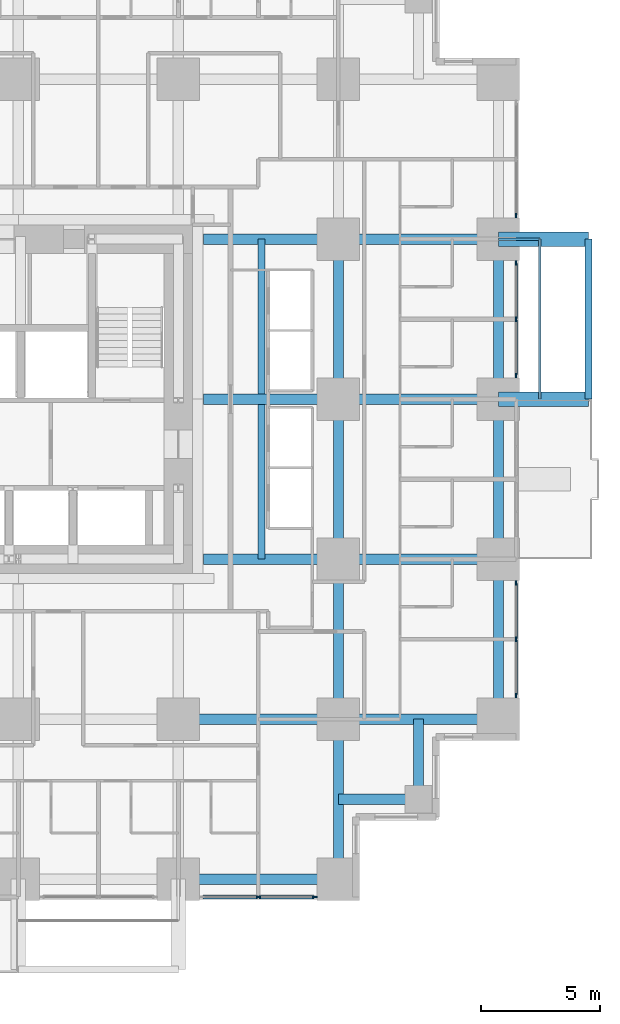
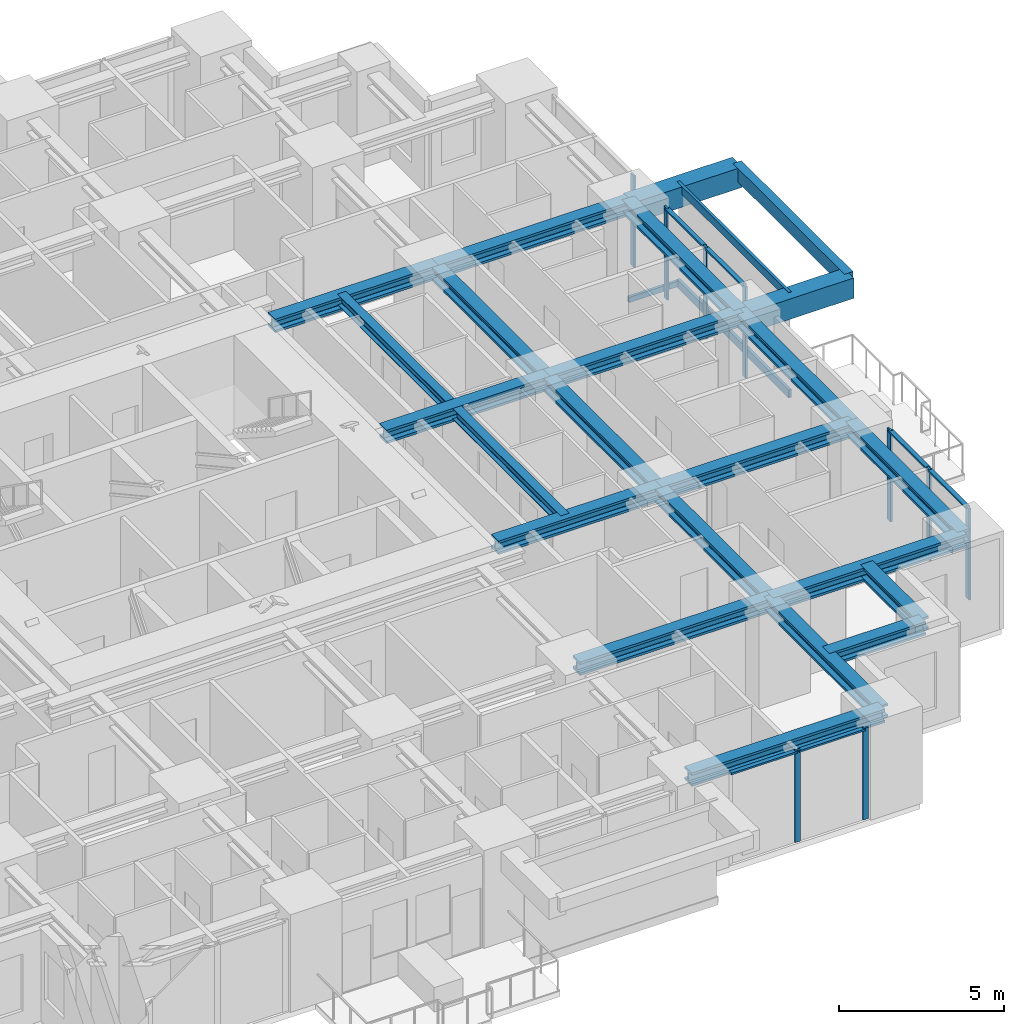
# One storey, part 4 of 15: 23 beams, 18 members, 4 elements without a shape of their own.
"""IFC4 building model written with IfcOpenShell, lengths in metres."""

from ifc_helpers import new_model, si_unit, direction, frame, origin, origin_2d, place, context, subcontext, project, spatial, rectangle, hollow_rectangle, i_section, extrude, material, material_profile, profile_set, type_object, element, aggregate, save


model = new_model("IFC4")

# Units and contexts
model_context = context("Model", 3, precision=1e-05, world=origin(), true_north=direction((0.0, 1.0)))
body_context = subcontext(model_context, "Body", "Model", "MODEL_VIEW")
ifc_project = project(units=[si_unit("LENGTHUNIT", "METRE"), si_unit("AREAUNIT", "SQUARE_METRE"), si_unit("VOLUMEUNIT", "CUBIC_METRE"), si_unit("PLANEANGLEUNIT", "RADIAN"), si_unit("MASSUNIT", "GRAM", prefix="KILO")], contexts=[model_context])

# Site, building, storey
site_placement = place(None, origin())
site = spatial("IfcSite", under=ifc_project, at=site_placement, CompositionType="ELEMENT")
building_placement = place(site_placement, origin())
building = spatial("IfcBuilding", under=site, at=building_placement, Name="Nyansa Garden Tower", CompositionType="ELEMENT")
storey_placement = place(building_placement, frame((0.0, 0.0, 61.199951171875)))
storey = spatial("IfcBuildingStorey", under=building, at=storey_placement, Name="L16", CompositionType="ELEMENT", Elevation=61.199951171875)

# Beams
ifc_material_1 = material(Name="Concrete C70/85", Category="concrete")
ifc_material_profile_1 = material_profile(ifc_material_1, rectangle(XDim=0.60009765625, YDim=0.75, at=origin_2d()), Name="RC 600x750")
ifc_profile_set_1 = profile_set([ifc_material_profile_1], Name="Concrete C70/85")
beam_type_1 = type_object("IfcBeamType", Name="Balcony cantilever beam CB1 RC 600x750", PredefinedType="BEAM", material=ifc_profile_set_1)
for number, where, z_axis, x_axis, name in (
    (1, (40.5, 20.25, 2.985107421875), (1.0, 0.0, 0.0), (0.0, 1.0, 0.0), "Balcony cantilever beam L17"),
    (2, (40.5, 27.0, 2.985107421875), (1.0, 0.0, 0.0), (0.0, 1.0, 0.0), "Balcony cantilever beam L17"),
):
    element("IfcBeam", number, at=place(storey_placement, frame(where, z_axis=z_axis, x_axis=x_axis)), inside=storey, type_object=beam_type_1, Name=name, PredefinedType="BEAM", context=body_context, shape_type="SweptSolid", body=[
        extrude(rectangle(XDim=0.60009765625, YDim=0.75, at=origin_2d()), origin(), (0.0, 0.0, 1.0), 3.800048828125),
    ])
ifc_material_2 = material(Name="Concrete C70/85", Category="concrete")
ifc_material_profile_2 = material_profile(ifc_material_2, rectangle(XDim=0.300048828125, YDim=0.5, at=origin_2d()), Name="RC 300x500")
ifc_profile_set_2 = profile_set([ifc_material_profile_2], Name="Concrete C70/85")
beam_type_2 = type_object("IfcBeamType", Name="Balcony edge beam BE1 RC 300x500", PredefinedType="BEAM", material=ifc_profile_set_2)
beam_1_placement = place(storey_placement, frame((44.300048828125, 20.25, 3.110107421875), z_axis=(0.0, 1.0, 0.0), x_axis=(-1.0, 0.0, 0.0)))
element("IfcBeam", 3, at=beam_1_placement, inside=storey, type_object=beam_type_2, Name="Balcony edge beam L17", PredefinedType="BEAM", context=body_context, shape_type="SweptSolid", body=[
    extrude(rectangle(XDim=0.300048828125, YDim=0.5, at=origin_2d()), origin(), (0.0, 0.0, 1.0), 6.75),
])

# Curtain wall, members
ifc_material_3 = material(Name="Black anodised aluminium, dark tinted double glazing", Category="aluminium")
curtain_wall_type = type_object("IfcCurtainWallType", Name="Inner skin curtain wall ISW-A", PredefinedType="USERDEFINED", material=ifc_material_3)
curtain_wall_1_placement = place(storey_placement, origin())
curtain_wall_1 = element("IfcCurtainWall", 4, at=curtain_wall_1_placement, inside=storey, type_object=curtain_wall_type, Name="Inner skin curtain wall L16 E", ObjectType="UNITISED CURTAIN WALL", PredefinedType="USERDEFINED")
ifc_material_4 = material(Name="Black anodised aluminium", Category="aluminium")
ifc_material_profile_3 = material_profile(ifc_material_4, rectangle(XDim=0.06494140625, YDim=0.199951171875, at=origin_2d()), Name="Mullion 200x65")
ifc_profile_set_3 = profile_set([ifc_material_profile_3], Name="Black anodised aluminium")
member_type_1 = type_object("IfcMemberType", Name="Mullion ISW-A 200x65", PredefinedType="MULLION", material=ifc_profile_set_3)
member_1_placement = place(storey_placement, frame((41.25, 7.75, 0.0), z_axis=(0.0, 0.0, 1.0), x_axis=(-1.0, 0.0, 0.0)))
member_1 = element("IfcMember", 5, at=member_1_placement, type_object=member_type_1, Name="ISW-A mullion 1", PredefinedType="MULLION", context=body_context, shape_type="SweptSolid", body=[
    extrude(rectangle(XDim=0.06494140625, YDim=0.199951171875, at=origin_2d()), origin(), (0.0, 0.0, 1.0), 3.375),
])
member_2_placement = place(storey_placement, frame((41.25, 10.125, 0.0), z_axis=(0.0, 0.0, 1.0), x_axis=(-1.0, 0.0, 0.0)))
member_2 = element("IfcMember", 6, at=member_2_placement, type_object=member_type_1, Name="ISW-A mullion 2", PredefinedType="MULLION", context=body_context, shape_type="SweptSolid", body=[
    extrude(rectangle(XDim=0.06494140625, YDim=0.199951171875, at=origin_2d()), origin(), (0.0, 0.0, 1.0), 3.375),
])
member_3_placement = place(storey_placement, frame((41.25, 12.5, 0.0), z_axis=(0.0, 0.0, 1.0), x_axis=(-1.0, 0.0, 0.0)))
member_3 = element("IfcMember", 7, at=member_3_placement, type_object=member_type_1, Name="ISW-A mullion 3", PredefinedType="MULLION", context=body_context, shape_type="SweptSolid", body=[
    extrude(rectangle(XDim=0.06494140625, YDim=0.199951171875, at=origin_2d()), origin(), (0.0, 0.0, 1.0), 3.375),
])

curtain_wall_2_placement = place(storey_placement, origin())
curtain_wall_2 = element("IfcCurtainWall", 8, at=curtain_wall_2_placement, inside=storey, type_object=curtain_wall_type, Name="Inner skin curtain wall L16 E", ObjectType="UNITISED CURTAIN WALL", PredefinedType="USERDEFINED")
member_4_placement = place(storey_placement, frame((41.25, 21.25, 0.0), z_axis=(0.0, 0.0, 1.0), x_axis=(-1.0, 0.0, 0.0)))
member_4 = element("IfcMember", 9, at=member_4_placement, type_object=member_type_1, Name="ISW-A mullion 1", PredefinedType="MULLION", context=body_context, shape_type="SweptSolid", body=[
    extrude(rectangle(XDim=0.06494140625, YDim=0.199951171875, at=origin_2d()), origin(), (0.0, 0.0, 1.0), 3.375),
])
member_5_placement = place(storey_placement, frame((41.25, 23.625, 0.0), z_axis=(0.0, 0.0, 1.0), x_axis=(-1.0, 0.0, 0.0)))
member_5 = element("IfcMember", 10, at=member_5_placement, type_object=member_type_1, Name="ISW-A mullion 2", PredefinedType="MULLION", context=body_context, shape_type="SweptSolid", body=[
    extrude(rectangle(XDim=0.06494140625, YDim=0.199951171875, at=origin_2d()), origin(), (0.0, 0.0, 1.0), 3.375),
])
member_6_placement = place(storey_placement, frame((41.25, 26.0, 0.0), z_axis=(0.0, 0.0, 1.0), x_axis=(-1.0, 0.0, 0.0)))
member_6 = element("IfcMember", 11, at=member_6_placement, type_object=member_type_1, Name="ISW-A mullion 3", PredefinedType="MULLION", context=body_context, shape_type="SweptSolid", body=[
    extrude(rectangle(XDim=0.06494140625, YDim=0.199951171875, at=origin_2d()), origin(), (0.0, 0.0, 1.0), 3.375),
])

# Curtain wall, member
curtain_wall_3_placement = place(storey_placement, origin())
curtain_wall_3 = element("IfcCurtainWall", 12, at=curtain_wall_3_placement, inside=storey, type_object=curtain_wall_type, Name="Inner skin curtain wall L16 E", ObjectType="UNITISED CURTAIN WALL", PredefinedType="USERDEFINED")
member_7_placement = place(storey_placement, frame((41.25, 28.0, 0.0), z_axis=(0.0, 0.0, 1.0), x_axis=(-1.0, 0.0, 0.0)))
member_7 = element("IfcMember", 13, at=member_7_placement, type_object=member_type_1, Name="ISW-A mullion 1", PredefinedType="MULLION", context=body_context, shape_type="SweptSolid", body=[
    extrude(rectangle(XDim=0.06494140625, YDim=0.199951171875, at=origin_2d()), origin(), (0.0, 0.0, 1.0), 3.375),
])
aggregate(curtain_wall_3, [member_7])

# Curtain wall, members
curtain_wall_4_placement = place(storey_placement, origin())
curtain_wall_4 = element("IfcCurtainWall", 14, at=curtain_wall_4_placement, inside=storey, type_object=curtain_wall_type, Name="Inner skin curtain wall L16 S", ObjectType="UNITISED CURTAIN WALL", PredefinedType="USERDEFINED")
member_8_placement = place(storey_placement, frame((30.375, -0.75, 0.0), z_axis=(0.0, 0.0, 1.0), x_axis=(0.0, 1.0, 0.0)))
member_8 = element("IfcMember", 15, at=member_8_placement, type_object=member_type_1, Name="ISW-A mullion 2", PredefinedType="MULLION", context=body_context, shape_type="SweptSolid", body=[
    extrude(rectangle(XDim=0.06494140625, YDim=0.199951171875, at=origin_2d()), origin(), (0.0, 0.0, 1.0), 3.375),
])
member_9_placement = place(storey_placement, frame((32.75, -0.75, 0.0), z_axis=(0.0, 0.0, 1.0), x_axis=(0.0, 1.0, 0.0)))
member_9 = element("IfcMember", 16, at=member_9_placement, type_object=member_type_1, Name="ISW-A mullion 3", PredefinedType="MULLION", context=body_context, shape_type="SweptSolid", body=[
    extrude(rectangle(XDim=0.06494140625, YDim=0.199951171875, at=origin_2d()), origin(), (0.0, 0.0, 1.0), 3.375),
])

# Members
ifc_material_5 = material(Name="Steel S355, black powder coated", Category="steel")
ifc_material_profile_4 = material_profile(ifc_material_5, hollow_rectangle(XDim=0.10009765625, YDim=0.199951171875, WallThickness=0.008056640625, at=origin_2d()), Name="RHS 200x100x8")
ifc_profile_set_4 = profile_set([ifc_material_profile_4], Name="Steel S355, black powder coated")
member_type_2 = type_object("IfcMemberType", Name="Outer skin bracket arm RHS 200x100x8", PredefinedType="USERDEFINED", material=ifc_profile_set_4)
member_10_placement = place(storey_placement, frame((40.5, 27.0, -0.375), z_axis=(1.0, 0.0, 0.0), x_axis=(0.0, 1.0, 0.0)))
element("IfcMember", 17, at=member_10_placement, inside=storey, type_object=member_type_2, Name="Outer skin bracket arm", ObjectType="OUTER SKIN BRACKET", PredefinedType="USERDEFINED", context=body_context, shape_type="SweptSolid", body=[
    extrude(hollow_rectangle(XDim=0.10009765625, YDim=0.199951171875, WallThickness=0.008056640625, at=origin_2d()), origin(), (0.0, 0.0, 1.0), 1.75),
])
ifc_material_6 = material(Name="Steel S355, black powder coated", Category="steel")
ifc_material_profile_5 = material_profile(ifc_material_6, hollow_rectangle(XDim=0.10009765625, YDim=0.300048828125, WallThickness=0.010009765625, at=origin_2d()), Name="RHS 300x100x10")
ifc_profile_set_5 = profile_set([ifc_material_profile_5], Name="Steel S355, black powder coated")
member_type_3 = type_object("IfcMemberType", Name="Outer skin rail RHS 300x100x10", PredefinedType="USERDEFINED", material=ifc_profile_set_5)
for number, where, z_axis, x_axis, name in (
    (18, (42.25, 20.25, -0.375), (0.0, 1.0, 0.0), (-1.0, 0.0, 0.0), "Outer skin rail L16"),
    (19, (42.25, 20.25, 3.22509765625), (0.0, 1.0, 0.0), (-1.0, 0.0, 0.0), "Outer skin rail L16 head"),
):
    element("IfcMember", number, at=place(storey_placement, frame(where, z_axis=z_axis, x_axis=x_axis)), inside=storey, type_object=member_type_3, Name=name, ObjectType="OUTER SKIN RAIL", PredefinedType="USERDEFINED", context=body_context, shape_type="SweptSolid", body=[
        extrude(hollow_rectangle(XDim=0.10009765625, YDim=0.300048828125, WallThickness=0.010009765625, at=origin_2d()), origin(), (0.0, 0.0, 1.0), 6.75),
    ])

# Beams
ifc_material_7 = material(Name="Steel S355", Category="steel")
ifc_material_profile_6 = material_profile(ifc_material_7, i_section(OverallWidth=0.431884765625, OverallDepth=0.498046875, WebThickness=0.0556640625, FlangeThickness=0.0888671875, FilletRadius=0.014892578125, at=origin_2d()), Name="HD 400x744")
ifc_profile_set_6 = profile_set([ifc_material_profile_6], Name="Steel S355")
beam_type_3 = type_object("IfcBeamType", Name="Steel beam SBA1-744 HD 400x744", PredefinedType="BEAM", material=ifc_profile_set_6)
beam_2_placement = place(storey_placement, frame((27.0, 6.75, 3.1259765625), z_axis=(1.0, 0.0, 0.0), x_axis=(0.0, 1.0, 0.0)))
element("IfcBeam", 20, at=beam_2_placement, inside=storey, type_object=beam_type_3, Name="Steel beam 6/E-7/E L17", PredefinedType="BEAM", context=body_context, shape_type="SweptSolid", body=[
    extrude(i_section(OverallWidth=0.431884765625, OverallDepth=0.498046875, WebThickness=0.0556640625, FlangeThickness=0.0888671875, FilletRadius=0.014892578125, at=origin_2d()), origin(), (0.0, 0.0, 1.0), 6.75),
])
for number, where, z_axis, x_axis, name in (
    (21, (28.050048828125, 13.5, 3.1259765625), (1.0, 0.0, 0.0), (0.0, 1.0, 0.0), "Steel beam 28.050/F-7/F L17"),
    (22, (28.050048828125, 20.25, 3.1259765625), (1.0, 0.0, 0.0), (0.0, 1.0, 0.0), "Steel beam 28.050/G-7/G L17"),
    (23, (28.050048828125, 27.0, 3.1259765625), (1.0, 0.0, 0.0), (0.0, 1.0, 0.0), "Steel beam 28.050/H-7/H L17"),
):
    element("IfcBeam", number, at=place(storey_placement, frame(where, z_axis=z_axis, x_axis=x_axis)), inside=storey, type_object=beam_type_3, Name=name, PredefinedType="BEAM", context=body_context, shape_type="SweptSolid", body=[
        extrude(i_section(OverallWidth=0.431884765625, OverallDepth=0.498046875, WebThickness=0.0556640625, FlangeThickness=0.0888671875, FilletRadius=0.014892578125, at=origin_2d()), origin(), (0.0, 0.0, 1.0), 5.699951171875),
    ])
for number, where, z_axis, x_axis, name in (
    (24, (33.75, 0.0, 3.1259765625), (0.0, 1.0, 0.0), (-1.0, 0.0, 0.0), "Steel beam 7/D-7/E L17"),
    (25, (33.75, 6.75, 3.1259765625), (0.0, 1.0, 0.0), (-1.0, 0.0, 0.0), "Steel beam 7/E-7/F L17"),
    (26, (33.75, 6.75, 3.1259765625), (1.0, 0.0, 0.0), (0.0, 1.0, 0.0), "Steel beam 7/E-8/E L17"),
    (27, (33.75, 13.5, 3.1259765625), (0.0, 1.0, 0.0), (-1.0, 0.0, 0.0), "Steel beam 7/F-7/G L17"),
    (28, (33.75, 13.5, 3.1259765625), (1.0, 0.0, 0.0), (0.0, 1.0, 0.0), "Steel beam 7/F-8/F L17"),
    (29, (33.75, 20.25, 3.1259765625), (0.0, 1.0, 0.0), (-1.0, 0.0, 0.0), "Steel beam 7/G-7/H L17"),
    (30, (33.75, 20.25, 3.1259765625), (1.0, 0.0, 0.0), (0.0, 1.0, 0.0), "Steel beam 7/G-8/G L17"),
    (31, (33.75, 27.0, 3.1259765625), (1.0, 0.0, 0.0), (0.0, 1.0, 0.0), "Steel beam 7/H-8/H L17"),
):
    element("IfcBeam", number, at=place(storey_placement, frame(where, z_axis=z_axis, x_axis=x_axis)), inside=storey, type_object=beam_type_3, Name=name, PredefinedType="BEAM", context=body_context, shape_type="SweptSolid", body=[
        extrude(i_section(OverallWidth=0.431884765625, OverallDepth=0.498046875, WebThickness=0.0556640625, FlangeThickness=0.0888671875, FilletRadius=0.014892578125, at=origin_2d()), origin(), (0.0, 0.0, 1.0), 6.75),
    ])
ifc_material_8 = material(Name="Steel S355", Category="steel")
ifc_material_profile_7 = material_profile(ifc_material_8, i_section(OverallWidth=0.431884765625, OverallDepth=0.498046875, WebThickness=0.0556640625, FlangeThickness=0.0888671875, FilletRadius=0.014892578125, at=origin_2d()), Name="HD 400x744")
ifc_profile_set_7 = profile_set([ifc_material_profile_7], Name="Steel S355")
beam_type_4 = type_object("IfcBeamType", Name="Steel beam SEBA-744 HD 400x744", PredefinedType="BEAM", material=ifc_profile_set_7)
for number, where, z_axis, x_axis, name in (
    (32, (27.0, 0.0, 3.1259765625), (1.0, 0.0, 0.0), (0.0, 1.0, 0.0), "Steel edge beam 6/D-7/D L17"),
    (33, (40.5, 6.75, 3.1259765625), (0.0, 1.0, 0.0), (-1.0, 0.0, 0.0), "Steel edge beam 8/E-8/F L17"),
    (34, (40.5, 13.5, 3.1259765625), (0.0, 1.0, 0.0), (-1.0, 0.0, 0.0), "Steel edge beam 8/F-8/G L17"),
    (35, (40.5, 20.25, 3.1259765625), (0.0, 1.0, 0.0), (-1.0, 0.0, 0.0), "Steel edge beam 8/G-8/H L17"),
):
    element("IfcBeam", number, at=place(storey_placement, frame(where, z_axis=z_axis, x_axis=x_axis)), inside=storey, type_object=beam_type_4, Name=name, PredefinedType="BEAM", context=body_context, shape_type="SweptSolid", body=[
        extrude(i_section(OverallWidth=0.431884765625, OverallDepth=0.498046875, WebThickness=0.0556640625, FlangeThickness=0.0888671875, FilletRadius=0.014892578125, at=origin_2d()), origin(), (0.0, 0.0, 1.0), 6.75),
    ])
ifc_material_9 = material(Name="Steel S355", Category="steel")
ifc_material_profile_8 = material_profile(ifc_material_9, i_section(OverallWidth=0.431884765625, OverallDepth=0.498046875, WebThickness=0.0556640625, FlangeThickness=0.0888671875, FilletRadius=0.014892578125, at=origin_2d()), Name="HD 400x744")
ifc_profile_set_8 = profile_set([ifc_material_profile_8], Name="Steel S355")
beam_type_5 = type_object("IfcBeamType", Name="Steel beam SSB1-744 HD 400x744", PredefinedType="BEAM", material=ifc_profile_set_8)
for number, where, z_axis, x_axis, name in (
    (36, (37.125, 3.375, 3.1259765625), (0.0, 1.0, 0.0), (-1.0, 0.0, 0.0), "Steel step beam 37.125/3.375 L17"),
    (37, (37.125, 3.375, 3.1259765625), (-1.0, 0.0, 0.0), (0.0, -1.0, 0.0), "Steel step beam 37.125/3.375 L17"),
):
    element("IfcBeam", number, at=place(storey_placement, frame(where, z_axis=z_axis, x_axis=x_axis)), inside=storey, type_object=beam_type_5, Name=name, PredefinedType="BEAM", context=body_context, shape_type="SweptSolid", body=[
        extrude(i_section(OverallWidth=0.431884765625, OverallDepth=0.498046875, WebThickness=0.0556640625, FlangeThickness=0.0888671875, FilletRadius=0.014892578125, at=origin_2d()), origin(), (0.0, 0.0, 1.0), 3.375),
    ])

# Member
ifc_material_10 = material(Name="Black anodised aluminium", Category="aluminium")
ifc_material_profile_9 = material_profile(ifc_material_10, rectangle(XDim=0.14990234375, YDim=0.06494140625, at=origin_2d()), Name="Transom 150x65")
ifc_profile_set_9 = profile_set([ifc_material_profile_9], Name="Black anodised aluminium")
member_type_4 = type_object("IfcMemberType", Name="Transom ISW-A 150x65", PredefinedType="USERDEFINED", material=ifc_profile_set_9)
member_11_placement = place(storey_placement, frame((41.25, 7.782470703125, 3.342529296875), z_axis=(0.0, 1.0, 0.0), x_axis=(-1.0, 0.0, 0.0)))
member_11 = element("IfcMember", 38, at=member_11_placement, type_object=member_type_4, Name="ISW-A transom 1", ObjectType="TRANSOM", PredefinedType="USERDEFINED", context=body_context, shape_type="SweptSolid", body=[
    extrude(rectangle(XDim=0.14990234375, YDim=0.06494140625, at=origin_2d()), origin(), (0.0, 0.0, 1.0), 2.31005859375),
])

member_12_placement = place(storey_placement, frame((41.25, 10.157470703125, 3.342529296875), z_axis=(0.0, 1.0, 0.0), x_axis=(-1.0, 0.0, 0.0)))
member_12 = element("IfcMember", 39, at=member_12_placement, type_object=member_type_4, Name="ISW-A transom 2", ObjectType="TRANSOM", PredefinedType="USERDEFINED", context=body_context, shape_type="SweptSolid", body=[
    extrude(rectangle(XDim=0.14990234375, YDim=0.06494140625, at=origin_2d()), origin(), (0.0, 0.0, 1.0), 2.31005859375),
])

aggregate(curtain_wall_1, [member_1, member_2, member_3, member_11, member_12])

member_13_placement = place(storey_placement, frame((41.25, 21.282470703125, 3.342529296875), z_axis=(0.0, 1.0, 0.0), x_axis=(-1.0, 0.0, 0.0)))
member_13 = element("IfcMember", 40, at=member_13_placement, type_object=member_type_4, Name="ISW-A transom 1", ObjectType="TRANSOM", PredefinedType="USERDEFINED", context=body_context, shape_type="SweptSolid", body=[
    extrude(rectangle(XDim=0.14990234375, YDim=0.06494140625, at=origin_2d()), origin(), (0.0, 0.0, 1.0), 2.31005859375),
])

member_14_placement = place(storey_placement, frame((41.25, 23.657470703125, 3.342529296875), z_axis=(0.0, 1.0, 0.0), x_axis=(-1.0, 0.0, 0.0)))
member_14 = element("IfcMember", 41, at=member_14_placement, type_object=member_type_4, Name="ISW-A transom 2", ObjectType="TRANSOM", PredefinedType="USERDEFINED", context=body_context, shape_type="SweptSolid", body=[
    extrude(rectangle(XDim=0.14990234375, YDim=0.06494140625, at=origin_2d()), origin(), (0.0, 0.0, 1.0), 2.31005859375),
])

aggregate(curtain_wall_2, [member_4, member_5, member_6, member_13, member_14])

member_15_placement = place(storey_placement, frame((28.032470703125, -0.75, 3.342529296875), z_axis=(1.0, 0.0, 0.0), x_axis=(0.0, 1.0, 0.0)))
member_15 = element("IfcMember", 42, at=member_15_placement, type_object=member_type_4, Name="ISW-A transom 1", ObjectType="TRANSOM", PredefinedType="USERDEFINED", context=body_context, shape_type="SweptSolid", body=[
    extrude(rectangle(XDim=0.14990234375, YDim=0.06494140625, at=origin_2d()), origin(), (0.0, 0.0, 1.0), 2.31005859375),
])

member_16_placement = place(storey_placement, frame((30.407470703125, -0.75, 3.342529296875), z_axis=(1.0, 0.0, 0.0), x_axis=(0.0, 1.0, 0.0)))
member_16 = element("IfcMember", 43, at=member_16_placement, type_object=member_type_4, Name="ISW-A transom 2", ObjectType="TRANSOM", PredefinedType="USERDEFINED", context=body_context, shape_type="SweptSolid", body=[
    extrude(rectangle(XDim=0.14990234375, YDim=0.06494140625, at=origin_2d()), origin(), (0.0, 0.0, 1.0), 2.31005859375),
])

aggregate(curtain_wall_4, [member_8, member_9, member_15, member_16])

# Beams
ifc_material_11 = material(Name="Steel S355", Category="steel")
ifc_material_profile_10 = material_profile(ifc_material_11, i_section(OverallWidth=0.300048828125, OverallDepth=0.39990234375, WebThickness=0.013427734375, FlangeThickness=0.02392578125, FilletRadius=0.027099609375, at=origin_2d()), Name="HE 400 B")
ifc_profile_set_10 = profile_set([ifc_material_profile_10], Name="Steel S355")
beam_type_6 = type_object("IfcBeamType", Name="Trimmer beam TR1 HE 400 B", PredefinedType="BEAM", material=ifc_profile_set_10)
for number, where, z_axis, x_axis, name in (
    (44, (30.5, 13.5, 3.175048828125), (0.0, 1.0, 0.0), (-1.0, 0.0, 0.0), "Trimmer beam 1 L17"),
    (45, (30.5, 20.466064453125, 3.175048828125), (0.0, 1.0, 0.0), (-1.0, 0.0, 0.0), "Trimmer beam 2 L17"),
):
    element("IfcBeam", number, at=place(storey_placement, frame(where, z_axis=z_axis, x_axis=x_axis)), inside=storey, type_object=beam_type_6, Name=name, PredefinedType="BEAM", context=body_context, shape_type="SweptSolid", body=[
        extrude(i_section(OverallWidth=0.300048828125, OverallDepth=0.39990234375, WebThickness=0.013427734375, FlangeThickness=0.02392578125, FilletRadius=0.027099609375, at=origin_2d()), origin(), (0.0, 0.0, 1.0), 6.533935546875),
    ])

save(model, "model.ifc")
